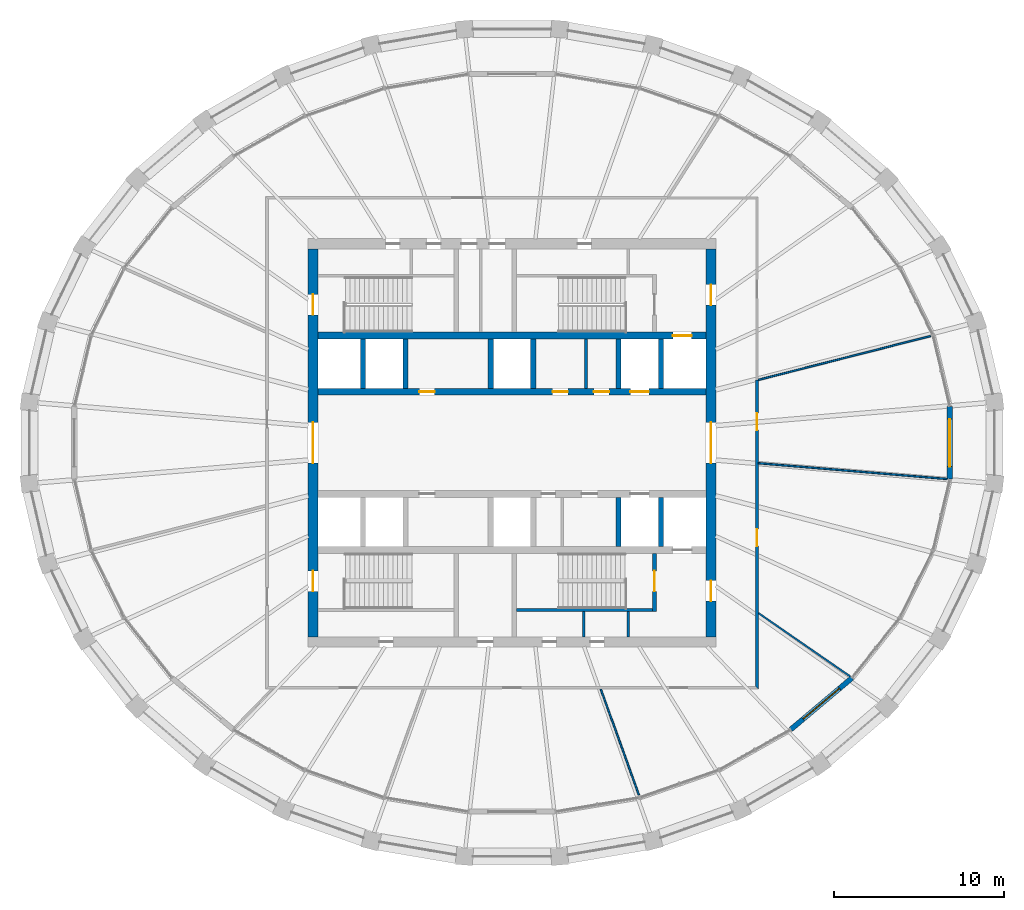
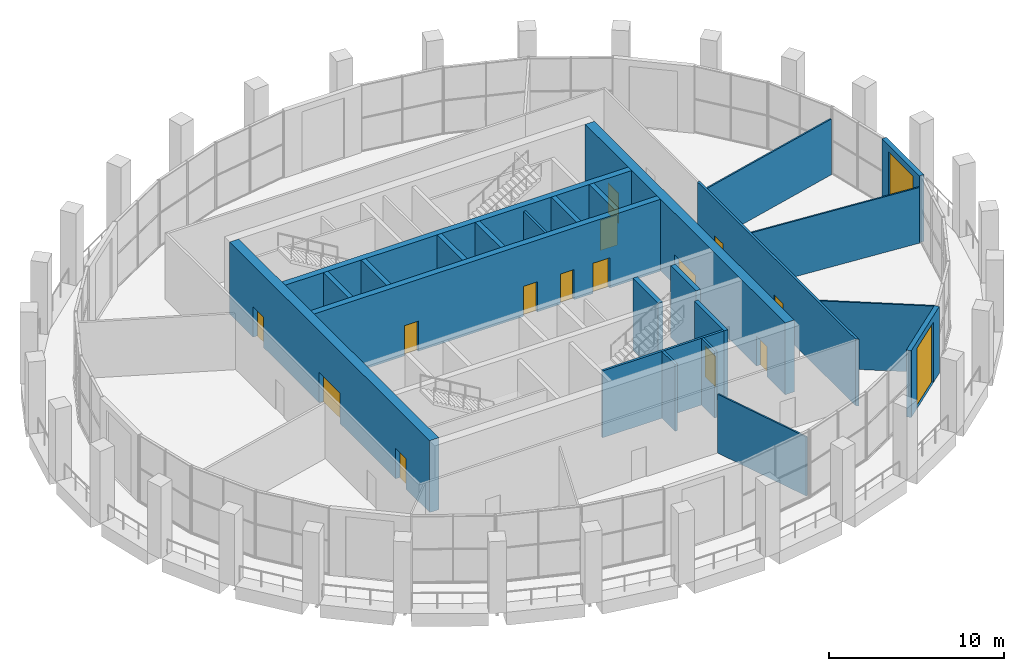
# One storey, part 11 of 15: 24 walls, 16 doors, 16 openings.
"""IFC4 building model written with IfcOpenShell, lengths in metres."""

from ifc_helpers import new_model, si_unit, direction, frame, frame_2d, origin, place, context, subcontext, project, spatial, polyline, rectangle, outline, extrude, material, layer, layer_set, type_object, element, fill, save


model = new_model("IFC4")

# Units and contexts
model_context = context("Model", 3, precision=1e-05, world=origin(), true_north=direction((0.0, 1.0)))
body_context = subcontext(model_context, "Body", "Model", "MODEL_VIEW")
ifc_project = project(units=[si_unit("LENGTHUNIT", "METRE"), si_unit("AREAUNIT", "SQUARE_METRE"), si_unit("VOLUMEUNIT", "CUBIC_METRE"), si_unit("PLANEANGLEUNIT", "RADIAN"), si_unit("MASSUNIT", "GRAM", prefix="KILO")], contexts=[model_context])

# Site, building, storey
site_placement = place(None, origin())
site = spatial("IfcSite", under=ifc_project, at=site_placement, CompositionType="ELEMENT")
building_placement = place(site_placement, origin())
building = spatial("IfcBuilding", under=site, at=building_placement, Name="Halqa Exchange Tower", CompositionType="ELEMENT")
storey_placement = place(building_placement, frame((0.0, 0.0, 338.300048828125)))
storey = spatial("IfcBuildingStorey", under=building, at=storey_placement, Name="L79", CompositionType="ELEMENT", Elevation=338.300048828125)

# Wall, openings, doors
ifc_material_1 = material(Name="Fire-rated gypsum board")
ifc_layer_1 = layer(ifc_material_1, 0.14990234375)
ifc_layer_set_1 = layer_set([ifc_layer_1], Name="Fire-rated gypsum board")
wall_type_1 = type_object("IfcWallType", Name="Fire partition EI 60 150", PredefinedType="PARTITIONING", material=ifc_layer_set_1)
wall_1_placement = place(storey_placement, frame((14.39990234375, -14.47509765625, 0.0), z_axis=(0.0, 0.0, 1.0), x_axis=(0.0, 1.0, 0.0)))
wall_1 = element("IfcWall", 1, at=wall_1_placement, inside=storey, type_object=wall_type_1, Name="L79-PWL-011", PredefinedType="PARTITIONING", context=body_context, shape_type="SweptSolid", body=[
    extrude(outline(polyline([(18.155029296875, 0.074951171875), (16.3544921875, 0.074951171875), (14.553955078125, 0.074951171875), (12.753662109375, 0.074951171875), (10.953125, 0.074951171875), (9.152587890625, 0.074951171875), (7.35205078125, 0.074951171875), (5.551513671875, 0.074951171875), (3.751220703125, 0.074951171875), (1.95068359375, 0.074951171875), (0.150146484375, 0.074951171875), (0.000244140625, -0.074951171875), (1.815673828125, -0.074951171875), (3.631103515625, -0.074951171875), (5.44677734375, -0.074951171875), (7.26220703125, -0.074951171875), (9.07763671875, -0.074951171875), (10.89306640625, -0.074951171875), (12.70849609375, -0.074951171875), (14.524169921875, -0.074951171875), (16.339599609375, -0.074951171875), (18.155029296875, -0.074951171875), (18.155029296875, 0.074951171875)])), origin(), (0.0, 0.0, 1.0), 4.64990234375),
])
opening_1_placement = place(wall_1_placement, frame((8.405029296875, 0.0, 0.0)))
opening_1 = element("IfcOpeningElement", 2, at=opening_1_placement, cuts=wall_1, Name="Opening L79-07", PredefinedType="OPENING", context=body_context, shape_type="SweptSolid", body=[
    extrude(rectangle(XDim=1.0, YDim=2.10009765625, at=frame_2d((0.5, 1.050048828125))), frame((0.0, 0.0869140625, 0.0), z_axis=(0.0, -1.0, 0.0), x_axis=(1.0, 0.0, 0.0)), (0.0, 0.0, 1.0), 0.173828125),
])
opening_2_placement = place(wall_1_placement, frame((15.219970703125, 0.0, 0.0)))
opening_2 = element("IfcOpeningElement", 3, at=opening_2_placement, cuts=wall_1, Name="Opening L79-08", PredefinedType="OPENING", context=body_context, shape_type="SweptSolid", body=[
    extrude(rectangle(XDim=1.0, YDim=2.10009765625, at=frame_2d((0.5, 1.050048828125))), frame((0.0, 0.0869140625, 0.0), z_axis=(0.0, -1.0, 0.0), x_axis=(1.0, 0.0, 0.0)), (0.0, 0.0, 1.0), 0.173828125),
])
ifc_material_2 = material(Name="Steel fire door leaf", Category="steel")
door_type_1 = type_object("IfcDoorType", Name="Fire door FD30S 1000 x 2100", OperationType="SINGLE_SWING_LEFT", PredefinedType="DOOR", material=ifc_material_2)
door_1_placement = place(opening_1_placement, frame((1.0, 0.0, 0.0), z_axis=(0.0, 0.0, 1.0), x_axis=(-1.0, 0.0, 0.0)))
door_1 = element("IfcDoor", 4, at=door_1_placement, inside=storey, type_object=door_type_1, Name="L79-IDR-007", OperationType="SINGLE_SWING_LEFT", OverallHeight=2.10009765625, OverallWidth=1.0, PredefinedType="DOOR", context=body_context, shape_type="SweptSolid", body=[
    extrude(rectangle(XDim=1.0, YDim=2.10009765625, at=frame_2d((0.5, 1.050048828125))), frame((0.0, 0.02490234375, 0.0), z_axis=(0.0, -1.0, 0.0), x_axis=(1.0, 0.0, 0.0)), (0.0, 0.0, 1.0), 0.050048828125),
])
fill(opening_1, door_1)
door_2_placement = place(opening_2_placement, frame((1.0, 0.0, 0.0), z_axis=(0.0, 0.0, 1.0), x_axis=(-1.0, 0.0, 0.0)))
door_2 = element("IfcDoor", 5, at=door_2_placement, inside=storey, type_object=door_type_1, Name="L79-IDR-008", OperationType="SINGLE_SWING_RIGHT", OverallHeight=2.10009765625, OverallWidth=1.0, PredefinedType="DOOR", context=body_context, shape_type="SweptSolid", body=[
    extrude(rectangle(XDim=1.0, YDim=2.10009765625, at=frame_2d((0.5, 1.050048828125))), frame((0.0, 0.02490234375, 0.0), z_axis=(0.0, -1.0, 0.0), x_axis=(1.0, 0.0, 0.0)), (0.0, 0.0, 1.0), 0.050048828125),
])
fill(opening_2, door_2)

# Walls
ifc_material_3 = material(Name="Gypsum board")
ifc_layer_2 = layer(ifc_material_3, 0.10009765625)
ifc_layer_set_2 = layer_set([ifc_layer_2], Name="Gypsum board")
wall_type_2 = type_object("IfcWallType", Name="Partition 100 gypsum", PredefinedType="PARTITIONING", material=ifc_layer_set_2)
wall_2_placement = place(storey_placement, frame((5.2109375, -14.458251953125, 0.0), z_axis=(0.0, 0.0, 1.0), x_axis=(0.338886313763, -0.940827330781, 0.0)))
element("IfcWall", 6, at=wall_2_placement, inside=storey, type_object=wall_type_2, Name="L79-PWL-008", PredefinedType="PARTITIONING", context=body_context, shape_type="SweptSolid", body=[
    extrude(outline(polyline([(0.0, -0.050048828125), (1.65576171875, -0.050048828125), (3.311279296875, -0.050048828125), (4.967041015625, -0.050048828125), (6.622802734375, -0.050048828125), (6.632080078125, 0.00146484375), (6.632080078125, 0.050048828125), (4.98291015625, 0.050048828125), (3.333984375, 0.050048828125), (1.684814453125, 0.050048828125), (0.035888671875, 0.050048828125), (0.0, -0.04931640625), (0.0, -0.050048828125)])), origin(), (0.0, 0.0, 1.0), 4.099853515625),
])
wall_3_placement = place(storey_placement, frame((14.447021484375, -9.982421875, 0.0), z_axis=(0.0, 0.0, 1.0), x_axis=(0.823077170229, -0.567929548314, 0.0)))
element("IfcWall", 7, at=wall_3_placement, inside=storey, type_object=wall_type_2, Name="L79-PWL-012", PredefinedType="PARTITIONING", context=body_context, shape_type="SweptSolid", body=[
    extrude(outline(polyline([(0.068603515625, -0.050048828125), (1.69384765625, -0.050048828125), (3.3193359375, -0.050048828125), (4.944580078125, -0.050048828125), (6.570068359375, -0.050048828125), (6.583740234375, 0.000732421875), (6.5869140625, 0.046630859375), (6.5869140625, 0.050048828125), (4.940185546875, 0.050048828125), (3.29345703125, 0.050048828125), (1.646728515625, 0.050048828125), (0.0, 0.050048828125), (0.0, 0.04931640625), (0.068603515625, -0.050048828125)])), origin(), (0.0, 0.0, 1.0), 4.64990234375),
])
wall_4_placement = place(storey_placement, frame((14.47119140625, -1.196044921875, 0.0), z_axis=(0.0, 0.0, 1.0), x_axis=(0.996521986217, -0.083330252526, 0.0)))
element("IfcWall", 8, at=wall_4_placement, inside=storey, type_object=wall_type_2, Name="L79-PWL-013", PredefinedType="PARTITIONING", context=body_context, shape_type="SweptSolid", body=[
    extrude(outline(polyline([(0.008056640625, -0.050048828125), (1.862548828125, -0.050048828125), (3.717041015625, -0.050048828125), (5.571533203125, -0.050048828125), (7.426025390625, -0.050048828125), (9.28076171875, -0.050048828125), (11.13525390625, -0.050048828125), (11.13916015625, -0.023681640625), (11.13916015625, 0.050048828125), (9.28271484375, 0.050048828125), (7.426025390625, 0.050048828125), (5.569580078125, 0.050048828125), (3.713134765625, 0.050048828125), (1.8564453125, 0.050048828125), (0.0, 0.050048828125), (0.0, 0.045654296875), (0.008056640625, -0.050048828125)])), origin(), (0.0, 0.0, 1.0), 3.8798828125),
])
wall_5_placement = place(storey_placement, frame((14.462890625, 3.696044921875, 0.0), z_axis=(0.0, 0.0, 1.0), x_axis=(0.969103365917, 0.246654953667, 0.0)))
element("IfcWall", 9, at=wall_5_placement, inside=storey, type_object=wall_type_2, Name="L79-PWL-014", PredefinedType="PARTITIONING", context=body_context, shape_type="SweptSolid", body=[
    extrude(outline(polyline([(10.453369140625, -0.050048828125), (10.453369140625, 0.00927734375), (10.44482421875, 0.050048828125), (8.70556640625, 0.050048828125), (6.96630859375, 0.050048828125), (5.227294921875, 0.050048828125), (3.488037109375, 0.050048828125), (1.7490234375, 0.050048828125), (0.009765625, 0.050048828125), (0.0, 0.01171875), (0.0, -0.0166015625), (0.0078125, -0.0185546875), (0.0, -0.049072265625), (0.0, -0.050048828125), (1.7421875, -0.050048828125), (3.484375, -0.050048828125), (5.2265625, -0.050048828125), (6.968994140625, -0.050048828125), (8.711181640625, -0.050048828125), (10.453369140625, -0.050048828125)])), origin(), (0.0, 0.0, 1.0), 3.8798828125),
])
ifc_layer_3 = layer(ifc_material_3, 0.14990234375)
ifc_layer_set_3 = layer_set([ifc_layer_3], Name="Gypsum board")
wall_type_3 = type_object("IfcWallType", Name="Penthouse riser wall 150 gypsum", PredefinedType="PARTITIONING", material=ifc_layer_set_3)
for number, where, z_axis, x_axis, name in (
    (10, (4.22509765625, -11.39990234375, 0.0), (0.0, 0.0, 1.0), (0.0, 1.0, 0.0), "Partition E4.225 S"),
    (11, (6.824951171875, -11.39990234375, 0.0), (0.0, 0.0, 1.0), (0.0, 1.0, 0.0), "Firefighting lobby west wall S"),
):
    element("IfcWall", number, at=place(storey_placement, frame(where, z_axis=z_axis, x_axis=x_axis)), inside=storey, type_object=wall_type_3, Name=name, PredefinedType="PARTITIONING", context=body_context, shape_type="SweptSolid", body=[
        extrude(rectangle(XDim=1.5, YDim=0.14990234375, at=frame_2d((0.75, 0.0))), origin(), (0.0, 0.0, 1.0), 4.64990234375),
    ])
wall_6_placement = place(storey_placement, frame((4.35009765625, 3.199951171875, 0.0), z_axis=(0.0, 0.0, 1.0), x_axis=(0.0, 1.0, 0.0)))
element("IfcWall", 12, at=wall_6_placement, inside=storey, type_object=wall_type_3, Name="Freed bay partition NE4.350", PredefinedType="PARTITIONING", context=body_context, shape_type="SweptSolid", body=[
    extrude(rectangle(XDim=2.900146484375, YDim=0.14990234375, at=frame_2d((1.4501953125, 0.0))), origin(), (0.0, 0.0, 1.0), 4.64990234375),
])
ifc_material_4 = material(Name="Concrete C60/75", Category="concrete")
ifc_layer_4 = layer(ifc_material_4, 0.300048828125)
ifc_layer_set_4 = layer_set([ifc_layer_4], Name="Concrete C60/75")
wall_type_4 = type_object("IfcWallType", Name="RC core wall 300", PredefinedType="SHEAR", material=ifc_layer_set_4)
for number, where, z_axis, x_axis, name in (
    (13, (-8.75, 3.199951171875, 0.0), (0.0, 0.0, 1.0), (0.0, 1.0, 0.0), "Shaft divider N1"),
    (14, (-6.25, 3.199951171875, 0.0), (0.0, 0.0, 1.0), (0.0, 1.0, 0.0), "Shaft divider N2"),
    (15, (-1.25, 3.199951171875, 0.0), (0.0, 0.0, 1.0), (0.0, 1.0, 0.0), "Shaft divider N4"),
    (16, (1.25, 3.199951171875, 0.0), (0.0, 0.0, 1.0), (0.0, 1.0, 0.0), "Shaft divider N5"),
    (17, (6.25, 3.199951171875, 0.0), (0.0, 0.0, 1.0), (0.0, 1.0, 0.0), "Shaft divider N7"),
    (18, (8.75, 3.199951171875, 0.0), (0.0, 0.0, 1.0), (0.0, 1.0, 0.0), "Shaft divider N8"),
    (19, (6.25, -6.10009765625, 0.0), (0.0, 0.0, 1.0), (0.0, 1.0, 0.0), "Shaft divider S7"),
    (20, (8.75, -6.10009765625, 0.0), (0.0, 0.0, 1.0), (0.0, 1.0, 0.0), "Shaft divider S8"),
):
    element("IfcWall", number, at=place(storey_placement, frame(where, z_axis=z_axis, x_axis=x_axis)), inside=storey, type_object=wall_type_4, Name=name, PredefinedType="SHEAR", context=body_context, shape_type="SweptSolid", body=[
        extrude(rectangle(XDim=2.900146484375, YDim=0.300048828125, at=frame_2d((1.4501953125, 0.0))), origin(), (0.0, 0.0, 1.0), 5.0),
    ])

# Wall, openings, doors
ifc_layer_5 = layer(ifc_material_4, 0.39990234375)
ifc_layer_set_5 = layer_set([ifc_layer_5], Name="Concrete C60/75")
wall_type_5 = type_object("IfcWallType", Name="RC core wall 400 C60/75", PredefinedType="SHEAR", material=ifc_layer_set_5)
wall_7_placement = place(storey_placement, frame((-11.39990234375, 3.0, 0.0), z_axis=(0.0, 0.0, 1.0), x_axis=(1.0, 0.0, 0.0)))
wall_7 = element("IfcWall", 21, at=wall_7_placement, inside=storey, type_object=wall_type_5, Name="Lift row front wall N", PredefinedType="SHEAR", context=body_context, shape_type="SweptSolid", body=[
    extrude(rectangle(XDim=22.7998046875, YDim=0.39990234375, at=frame_2d((11.39990234375, 0.0))), origin(), (0.0, 0.0, 1.0), 5.0),
])
opening_3_placement = place(wall_7_placement, frame((18.35009765625, 0.0, 0.0)))
opening_3 = element("IfcOpeningElement", 22, at=opening_3_placement, cuts=wall_7, Name="Opening LD-SV1-L79", PredefinedType="OPENING", context=body_context, shape_type="SweptSolid", body=[
    extrude(rectangle(XDim=1.10009765625, YDim=2.10009765625, at=frame_2d((0.550048828125, 1.050048828125))), frame((0.0, 0.2119140625, 0.0), z_axis=(0.0, -1.0, 0.0), x_axis=(1.0, 0.0, 0.0)), (0.0, 0.0, 1.0), 0.423828125),
])
opening_4_placement = place(wall_7_placement, frame((13.78759765625, 0.0, 0.0)))
opening_4 = element("IfcOpeningElement", 23, at=opening_4_placement, cuts=wall_7, Name="Opening L79-C22", PredefinedType="OPENING", context=body_context, shape_type="SweptSolid", body=[
    extrude(rectangle(XDim=0.89990234375, YDim=2.10009765625, at=frame_2d((0.449951171875, 1.050048828125))), frame((0.0, 0.2119140625, 0.0), z_axis=(0.0, -1.0, 0.0), x_axis=(1.0, 0.0, 0.0)), (0.0, 0.0, 1.0), 0.423828125),
])
opening_5_placement = place(wall_7_placement, frame((16.21240234375, 0.0, 0.0)))
opening_5 = element("IfcOpeningElement", 24, at=opening_5_placement, cuts=wall_7, Name="Opening L79-C23", PredefinedType="OPENING", context=body_context, shape_type="SweptSolid", body=[
    extrude(rectangle(XDim=0.89990234375, YDim=2.10009765625, at=frame_2d((0.449951171875, 1.050048828125))), frame((0.0, 0.2119140625, 0.0), z_axis=(0.0, -1.0, 0.0), x_axis=(1.0, 0.0, 0.0)), (0.0, 0.0, 1.0), 0.423828125),
])
opening_6_placement = place(wall_7_placement, frame((5.949951171875, 0.0, 0.0)))
opening_6 = element("IfcOpeningElement", 25, at=opening_6_placement, cuts=wall_7, Name="Opening L79-C24", PredefinedType="OPENING", context=body_context, shape_type="SweptSolid", body=[
    extrude(rectangle(XDim=0.89990234375, YDim=2.10009765625, at=frame_2d((0.449951171875, 1.050048828125))), frame((0.0, 0.2119140625, 0.0), z_axis=(0.0, -1.0, 0.0), x_axis=(1.0, 0.0, 0.0)), (0.0, 0.0, 1.0), 0.423828125),
])
ifc_material_5 = material(Name="Timber fire door leaf", Category="wood")
door_type_2 = type_object("IfcDoorType", Name="Core room door FD30 900 x 2100", OperationType="SINGLE_SWING_LEFT", PredefinedType="DOOR", material=ifc_material_5)
door_3_placement = place(opening_4_placement, origin())
door_3 = element("IfcDoor", 26, at=door_3_placement, inside=storey, type_object=door_type_2, Name="Core room door", OperationType="SINGLE_SWING_RIGHT", OverallHeight=2.10009765625, OverallWidth=0.89990234375, PredefinedType="DOOR", context=body_context, shape_type="SweptSolid", body=[
    extrude(rectangle(XDim=0.89990234375, YDim=2.10009765625, at=frame_2d((0.449951171875, 1.050048828125))), frame((0.0, 0.02490234375, 0.0), z_axis=(0.0, -1.0, 0.0), x_axis=(1.0, 0.0, 0.0)), (0.0, 0.0, 1.0), 0.050048828125),
])
fill(opening_4, door_3)
door_4_placement = place(opening_5_placement, origin())
door_4 = element("IfcDoor", 27, at=door_4_placement, inside=storey, type_object=door_type_2, Name="Core room door", OperationType="SINGLE_SWING_RIGHT", OverallHeight=2.10009765625, OverallWidth=0.89990234375, PredefinedType="DOOR", context=body_context, shape_type="SweptSolid", body=[
    extrude(rectangle(XDim=0.89990234375, YDim=2.10009765625, at=frame_2d((0.449951171875, 1.050048828125))), frame((0.0, 0.02490234375, 0.0), z_axis=(0.0, -1.0, 0.0), x_axis=(1.0, 0.0, 0.0)), (0.0, 0.0, 1.0), 0.050048828125),
])
fill(opening_5, door_4)
door_5_placement = place(opening_6_placement, origin())
door_5 = element("IfcDoor", 28, at=door_5_placement, inside=storey, type_object=door_type_2, Name="Core room door", OperationType="SINGLE_SWING_RIGHT", OverallHeight=2.10009765625, OverallWidth=0.89990234375, PredefinedType="DOOR", context=body_context, shape_type="SweptSolid", body=[
    extrude(rectangle(XDim=0.89990234375, YDim=2.10009765625, at=frame_2d((0.449951171875, 1.050048828125))), frame((0.0, 0.02490234375, 0.0), z_axis=(0.0, -1.0, 0.0), x_axis=(1.0, 0.0, 0.0)), (0.0, 0.0, 1.0), 0.050048828125),
])
fill(opening_6, door_5)
ifc_material_6 = material(Name="Stainless steel", Category="steel")
door_type_3 = type_object("IfcDoorType", Name="Lift landing door 1100 x 2100", OperationType="SLIDING_TO_LEFT", PredefinedType="DOOR", material=ifc_material_6)
door_6_placement = place(opening_3_placement, origin())
door_6 = element("IfcDoor", 29, at=door_6_placement, inside=storey, type_object=door_type_3, Name="Lift landing door SV1", OperationType="SLIDING_TO_LEFT", OverallHeight=2.10009765625, OverallWidth=1.10009765625, PredefinedType="DOOR", context=body_context, shape_type="SweptSolid", body=[
    extrude(rectangle(XDim=1.10009765625, YDim=2.10009765625, at=frame_2d((0.550048828125, 1.050048828125))), frame((0.0, 0.02490234375, 0.0), z_axis=(0.0, -1.0, 0.0), x_axis=(1.0, 0.0, 0.0)), (0.0, 0.0, 1.0), 0.050048828125),
])
fill(opening_3, door_6)

# Wall, opening, door
wall_8_placement = place(storey_placement, frame((-11.39990234375, 6.300048828125, 0.0), z_axis=(0.0, 0.0, 1.0), x_axis=(1.0, 0.0, 0.0)))
wall_8 = element("IfcWall", 30, at=wall_8_placement, inside=storey, type_object=wall_type_5, Name="Lift row back wall N", PredefinedType="SHEAR", context=body_context, shape_type="SweptSolid", body=[
    extrude(rectangle(XDim=22.7998046875, YDim=0.39990234375, at=frame_2d((11.39990234375, 0.0))), origin(), (0.0, 0.0, 1.0), 5.0),
])
opening_7_placement = place(wall_8_placement, frame((20.85009765625, 0.0, 0.0)))
opening_7 = element("IfcOpeningElement", 31, at=opening_7_placement, cuts=wall_8, Name="Opening LD-FF1-L79", PredefinedType="OPENING", context=body_context, shape_type="SweptSolid", body=[
    extrude(rectangle(XDim=1.10009765625, YDim=2.10009765625, at=frame_2d((0.550048828125, 1.050048828125))), frame((0.0, 0.2119140625, 0.0), z_axis=(0.0, -1.0, 0.0), x_axis=(1.0, 0.0, 0.0)), (0.0, 0.0, 1.0), 0.423828125),
])
door_7_placement = place(opening_7_placement, origin())
door_7 = element("IfcDoor", 32, at=door_7_placement, inside=storey, type_object=door_type_3, Name="Lift landing door FF1", OperationType="SLIDING_TO_LEFT", OverallHeight=2.10009765625, OverallWidth=1.10009765625, PredefinedType="DOOR", context=body_context, shape_type="SweptSolid", body=[
    extrude(rectangle(XDim=1.10009765625, YDim=2.10009765625, at=frame_2d((0.550048828125, 1.050048828125))), frame((0.0, 0.02490234375, 0.0), z_axis=(0.0, -1.0, 0.0), x_axis=(1.0, 0.0, 0.0)), (0.0, 0.0, 1.0), 0.050048828125),
])
fill(opening_7, door_7)

# Wall, openings, doors
ifc_layer_6 = layer(ifc_material_4, 0.60009765625)
ifc_layer_set_6 = layer_set([ifc_layer_6], Name="Concrete C60/75")
wall_type_6 = type_object("IfcWallType", Name="RC core wall 600 C60/75", PredefinedType="SHEAR", material=ifc_layer_set_6)
wall_9_placement = place(storey_placement, frame((11.699951171875, -11.39990234375, 0.0), z_axis=(0.0, 0.0, 1.0), x_axis=(0.0, 1.0, 0.0)))
wall_9 = element("IfcWall", 33, at=wall_9_placement, inside=storey, type_object=wall_type_6, Name="Core wall east", PredefinedType="SHEAR", context=body_context, shape_type="SweptSolid", body=[
    extrude(rectangle(XDim=22.7998046875, YDim=0.60009765625, at=frame_2d((11.39990234375, 0.0))), origin(), (0.0, 0.0, 1.0), 5.0),
])
opening_8_placement = place(wall_9_placement, frame((10.199951171875, 0.0, 0.0)))
opening_8 = element("IfcOpeningElement", 34, at=opening_8_placement, cuts=wall_9, Name="Opening L79-C06", PredefinedType="OPENING", context=body_context, shape_type="SweptSolid", body=[
    extrude(rectangle(XDim=2.39990234375, YDim=2.10009765625, at=frame_2d((1.199951171875, 1.050048828125))), frame((0.0, 0.31201171875, 0.0), z_axis=(0.0, -1.0, 0.0), x_axis=(1.0, 0.0, 0.0)), (0.0, 0.0, 1.0), 0.6240234375),
])
opening_9_placement = place(wall_9_placement, frame((19.5, 0.0, 0.0)))
opening_9 = element("IfcOpeningElement", 35, at=opening_9_placement, cuts=wall_9, Name="Opening L79-C11", PredefinedType="OPENING", context=body_context, shape_type="SweptSolid", body=[
    extrude(rectangle(XDim=1.199951171875, YDim=2.10009765625, at=frame_2d((0.60009765625, 1.050048828125))), frame((0.0, 0.31201171875, 0.0), z_axis=(0.0, -1.0, 0.0), x_axis=(1.0, 0.0, 0.0)), (0.0, 0.0, 1.0), 0.6240234375),
])
opening_10_placement = place(wall_9_placement, frame((2.10009765625, 0.0, 0.0)))
opening_10 = element("IfcOpeningElement", 36, at=opening_10_placement, cuts=wall_9, Name="Opening L79-C12", PredefinedType="OPENING", context=body_context, shape_type="SweptSolid", body=[
    extrude(rectangle(XDim=1.199951171875, YDim=2.10009765625, at=frame_2d((0.60009765625, 1.050048828125))), frame((0.0, 0.31201171875, 0.0), z_axis=(0.0, -1.0, 0.0), x_axis=(1.0, 0.0, 0.0)), (0.0, 0.0, 1.0), 0.6240234375),
])
door_type_4 = type_object("IfcDoorType", Name="Firefighting lobby door FD90 1200 x 2100", OperationType="SINGLE_SWING_RIGHT", PredefinedType="DOOR", material=ifc_material_2)
door_8_placement = place(opening_9_placement, origin())
door_8 = element("IfcDoor", 37, at=door_8_placement, inside=storey, type_object=door_type_4, Name="Firefighting lobby door", OperationType="SINGLE_SWING_RIGHT", OverallHeight=2.10009765625, OverallWidth=1.199951171875, PredefinedType="DOOR", context=body_context, shape_type="SweptSolid", body=[
    extrude(rectangle(XDim=1.199951171875, YDim=2.10009765625, at=frame_2d((0.60009765625, 1.050048828125))), frame((0.0, 0.02490234375, 0.0), z_axis=(0.0, -1.0, 0.0), x_axis=(1.0, 0.0, 0.0)), (0.0, 0.0, 1.0), 0.050048828125),
])
fill(opening_9, door_8)
door_9_placement = place(opening_10_placement, origin())
door_9 = element("IfcDoor", 38, at=door_9_placement, inside=storey, type_object=door_type_4, Name="Firefighting lobby door", OperationType="SINGLE_SWING_LEFT", OverallHeight=2.10009765625, OverallWidth=1.199951171875, PredefinedType="DOOR", context=body_context, shape_type="SweptSolid", body=[
    extrude(rectangle(XDim=1.199951171875, YDim=2.10009765625, at=frame_2d((0.60009765625, 1.050048828125))), frame((0.0, 0.02490234375, 0.0), z_axis=(0.0, -1.0, 0.0), x_axis=(1.0, 0.0, 0.0)), (0.0, 0.0, 1.0), 0.050048828125),
])
fill(opening_10, door_9)
door_type_5 = type_object("IfcDoorType", Name="Lobby double door FD60 2400 x 2100", OperationType="DOUBLE_DOOR_SINGLE_SWING", PredefinedType="DOOR", material=ifc_material_2)
door_10_placement = place(opening_8_placement, origin())
door_10 = element("IfcDoor", 39, at=door_10_placement, inside=storey, type_object=door_type_5, Name="Lift lobby double door", OperationType="DOUBLE_DOOR_SINGLE_SWING", OverallHeight=2.10009765625, OverallWidth=2.39990234375, PredefinedType="DOOR", context=body_context, shape_type="SweptSolid", body=[
    extrude(rectangle(XDim=2.39990234375, YDim=2.10009765625, at=frame_2d((1.199951171875, 1.050048828125))), frame((0.0, 0.02490234375, 0.0), z_axis=(0.0, -1.0, 0.0), x_axis=(1.0, 0.0, 0.0)), (0.0, 0.0, 1.0), 0.050048828125),
])
fill(opening_8, door_10)

wall_10_placement = place(storey_placement, frame((-11.699951171875, -11.39990234375, 0.0), z_axis=(0.0, 0.0, 1.0), x_axis=(0.0, 1.0, 0.0)))
wall_10 = element("IfcWall", 40, at=wall_10_placement, inside=storey, type_object=wall_type_6, Name="Core wall west", PredefinedType="SHEAR", context=body_context, shape_type="SweptSolid", body=[
    extrude(rectangle(XDim=22.7998046875, YDim=0.60009765625, at=frame_2d((11.39990234375, 0.0))), origin(), (0.0, 0.0, 1.0), 5.0),
])
opening_11_placement = place(wall_10_placement, frame((10.199951171875, 0.0, 0.0)))
opening_11 = element("IfcOpeningElement", 41, at=opening_11_placement, cuts=wall_10, Name="Opening L79-C05", PredefinedType="OPENING", context=body_context, shape_type="SweptSolid", body=[
    extrude(rectangle(XDim=2.39990234375, YDim=2.10009765625, at=frame_2d((1.199951171875, 1.050048828125))), frame((0.0, 0.31201171875, 0.0), z_axis=(0.0, -1.0, 0.0), x_axis=(1.0, 0.0, 0.0)), (0.0, 0.0, 1.0), 0.6240234375),
])
opening_12_placement = place(wall_10_placement, frame((18.925048828125, 0.0, 0.0)))
opening_12 = element("IfcOpeningElement", 42, at=opening_12_placement, cuts=wall_10, Name="Opening L79-C07", PredefinedType="OPENING", context=body_context, shape_type="SweptSolid", body=[
    extrude(rectangle(XDim=1.199951171875, YDim=2.10009765625, at=frame_2d((0.60009765625, 1.050048828125))), frame((0.0, 0.31201171875, 0.0), z_axis=(0.0, -1.0, 0.0), x_axis=(1.0, 0.0, 0.0)), (0.0, 0.0, 1.0), 0.6240234375),
])
opening_13_placement = place(wall_10_placement, frame((2.675048828125, 0.0, 0.0)))
opening_13 = element("IfcOpeningElement", 43, at=opening_13_placement, cuts=wall_10, Name="Opening L79-C09", PredefinedType="OPENING", context=body_context, shape_type="SweptSolid", body=[
    extrude(rectangle(XDim=1.199951171875, YDim=2.10009765625, at=frame_2d((0.60009765625, 1.050048828125))), frame((0.0, 0.31201171875, 0.0), z_axis=(0.0, -1.0, 0.0), x_axis=(1.0, 0.0, 0.0)), (0.0, 0.0, 1.0), 0.6240234375),
])
door_11_placement = place(opening_11_placement, frame((2.39990234375, 0.0, 0.0), z_axis=(0.0, 0.0, 1.0), x_axis=(-1.0, 0.0, 0.0)))
door_11 = element("IfcDoor", 44, at=door_11_placement, inside=storey, type_object=door_type_5, Name="Lift lobby double door", OperationType="DOUBLE_DOOR_SINGLE_SWING", OverallHeight=2.10009765625, OverallWidth=2.39990234375, PredefinedType="DOOR", context=body_context, shape_type="SweptSolid", body=[
    extrude(rectangle(XDim=2.39990234375, YDim=2.10009765625, at=frame_2d((1.199951171875, 1.050048828125))), frame((0.0, 0.02490234375, 0.0), z_axis=(0.0, -1.0, 0.0), x_axis=(1.0, 0.0, 0.0)), (0.0, 0.0, 1.0), 0.050048828125),
])
fill(opening_11, door_11)
door_type_6 = type_object("IfcDoorType", Name="Stair door FD90 1200 x 2100", OperationType="SINGLE_SWING_LEFT", PredefinedType="DOOR", material=ifc_material_2)
door_12_placement = place(opening_12_placement, frame((1.199951171875, 0.0, 0.0), z_axis=(0.0, 0.0, 1.0), x_axis=(-1.0, 0.0, 0.0)))
door_12 = element("IfcDoor", 45, at=door_12_placement, inside=storey, type_object=door_type_6, Name="Stair door ST1", OperationType="SINGLE_SWING_RIGHT", OverallHeight=2.10009765625, OverallWidth=1.199951171875, PredefinedType="DOOR", context=body_context, shape_type="SweptSolid", body=[
    extrude(rectangle(XDim=1.199951171875, YDim=2.10009765625, at=frame_2d((0.60009765625, 1.050048828125))), frame((0.0, 0.02490234375, 0.0), z_axis=(0.0, -1.0, 0.0), x_axis=(1.0, 0.0, 0.0)), (0.0, 0.0, 1.0), 0.050048828125),
])
fill(opening_12, door_12)
door_13_placement = place(opening_13_placement, frame((1.199951171875, 0.0, 0.0), z_axis=(0.0, 0.0, 1.0), x_axis=(-1.0, 0.0, 0.0)))
door_13 = element("IfcDoor", 46, at=door_13_placement, inside=storey, type_object=door_type_6, Name="Stair door ST3", OperationType="SINGLE_SWING_LEFT", OverallHeight=2.10009765625, OverallWidth=1.199951171875, PredefinedType="DOOR", context=body_context, shape_type="SweptSolid", body=[
    extrude(rectangle(XDim=1.199951171875, YDim=2.10009765625, at=frame_2d((0.60009765625, 1.050048828125))), frame((0.0, 0.02490234375, 0.0), z_axis=(0.0, -1.0, 0.0), x_axis=(1.0, 0.0, 0.0)), (0.0, 0.0, 1.0), 0.050048828125),
])
fill(opening_13, door_13)

# Wall
ifc_material_7 = material(Name="Concrete C30/37", Category="concrete")
ifc_layer_7 = layer(ifc_material_7, 0.14990234375)
ifc_layer_set_7 = layer_set([ifc_layer_7], Name="Concrete C30/37")
wall_type_7 = type_object("IfcWallType", Name="RC stair wall 150 C30/37", PredefinedType="SHEAR", material=ifc_layer_set_7)
wall_11_placement = place(storey_placement, frame((0.25, -9.824951171875, 0.0), z_axis=(0.0, 0.0, 1.0), x_axis=(1.0, 0.0, 0.0)))
element("IfcWall", 47, at=wall_11_placement, inside=storey, type_object=wall_type_7, Name="Stair ST2 north wall S", PredefinedType="SHEAR", context=body_context, shape_type="SweptSolid", body=[
    extrude(rectangle(XDim=8.0, YDim=0.14990234375, at=frame_2d((4.0, 0.0))), origin(), (0.0, 0.0, 1.0), 4.64990234375),
])

# Wall, opening, door
ifc_layer_8 = layer(ifc_material_7, 0.25)
ifc_layer_set_8 = layer_set([ifc_layer_8], Name="Concrete C30/37")
wall_type_8 = type_object("IfcWallType", Name="RC stair wall 250 C30/37", PredefinedType="SHEAR", material=ifc_layer_set_8)
wall_12_placement = place(storey_placement, frame((8.375, -9.89990234375, 0.0), z_axis=(0.0, 0.0, 1.0), x_axis=(0.0, 1.0, 0.0)))
wall_12 = element("IfcWall", 48, at=wall_12_placement, inside=storey, type_object=wall_type_8, Name="Stair ST2 east wall S", PredefinedType="SHEAR", context=body_context, shape_type="SweptSolid", body=[
    extrude(rectangle(XDim=3.39990234375, YDim=0.25, at=frame_2d((1.699951171875, 0.0))), origin(), (0.0, 0.0, 1.0), 4.64990234375),
])
opening_14_placement = place(wall_12_placement, frame((1.175048828125, 0.0, 0.0)))
opening_14 = element("IfcOpeningElement", 49, at=opening_14_placement, cuts=wall_12, Name="Opening L79-C10", PredefinedType="OPENING", context=body_context, shape_type="SweptSolid", body=[
    extrude(rectangle(XDim=1.199951171875, YDim=2.10009765625, at=frame_2d((0.60009765625, 1.050048828125))), frame((0.0, 0.136962890625, 0.0), z_axis=(0.0, -1.0, 0.0), x_axis=(1.0, 0.0, 0.0)), (0.0, 0.0, 1.0), 0.27392578125),
])
door_14_placement = place(opening_14_placement, origin())
door_14 = element("IfcDoor", 50, at=door_14_placement, inside=storey, type_object=door_type_6, Name="Stair door ST4", OperationType="SINGLE_SWING_LEFT", OverallHeight=2.10009765625, OverallWidth=1.199951171875, PredefinedType="DOOR", context=body_context, shape_type="SweptSolid", body=[
    extrude(rectangle(XDim=1.199951171875, YDim=2.10009765625, at=frame_2d((0.60009765625, 1.050048828125))), frame((0.0, 0.02490234375, 0.0), z_axis=(0.0, -1.0, 0.0), x_axis=(1.0, 0.0, 0.0)), (0.0, 0.0, 1.0), 0.050048828125),
])
fill(opening_14, door_14)

ifc_material_8 = material(Name="Limestone cladding", Category="masonry")
ifc_layer_9 = layer(ifc_material_8, 0.0400390625)
ifc_material_9 = material(Name="Ventilated cavity")
ifc_layer_10 = layer(ifc_material_9, 0.030029296875, ventilated=True)
ifc_material_10 = material(Name="Mineral wool insulation")
ifc_layer_11 = layer(ifc_material_10, 0.10009765625)
ifc_layer_12 = layer(ifc_material_7, 0.10009765625)
ifc_material_11 = material(Name="Internal plaster")
ifc_layer_13 = layer(ifc_material_11, 0.030029296875)
ifc_layer_set_9 = layer_set([ifc_layer_9, ifc_layer_10, ifc_layer_11, ifc_layer_12, ifc_layer_13], Name="Stone-faced insulated wall 300")
wall_type_9 = type_object("IfcWallType", Name="Stone-faced insulated wall 300", PredefinedType="STANDARD", material=ifc_layer_set_9)
wall_13_placement = place(storey_placement, frame((16.3896484375, -16.843017578125, 0.0), z_axis=(0.0, 0.0, 1.0), x_axis=(0.765128700347, 0.643877373344, 0.0)))
wall_13 = element("IfcWall", 51, at=wall_13_placement, inside=storey, type_object=wall_type_9, Name="Glass-line wall 28", PredefinedType="STANDARD", context=body_context, shape_type="SweptSolid", body=[
    extrude(outline(polyline([(0.0, -0.14990234375), (4.685546875, -0.14990234375), (4.685546875, 0.14990234375), (0.0, 0.14990234375), (0.0, -0.14990234375)])), origin(), (0.0, 0.0, 1.0), 4.64990234375),
])
opening_15_placement = place(wall_13_placement, frame((0.942626953125, 0.0, 0.0)))
opening_15 = element("IfcOpeningElement", 52, at=opening_15_placement, cuts=wall_13, Name="Opening LGX-F4-07", PredefinedType="OPENING", context=body_context, shape_type="SweptSolid", body=[
    extrude(rectangle(XDim=2.800048828125, YDim=4.199951171875, at=frame_2d((1.39990234375, 2.10009765625))), frame((0.0, 0.162109375, 0.0), z_axis=(0.0, -1.0, 0.0), x_axis=(1.0, 0.0, 0.0)), (0.0, 0.0, 1.0), 0.323974609375),
])
ifc_material_12 = material(Name="Clear low-emissivity glass in aluminium frame", Category="aluminium")
door_type_7 = type_object("IfcDoorType", Name="Glazed sliding balcony door 2800 x 4200", OperationType="DOUBLE_DOOR_SLIDING", PredefinedType="DOOR", material=ifc_material_12)
door_15_placement = place(opening_15_placement, origin())
door_15 = element("IfcDoor", 53, at=door_15_placement, inside=storey, type_object=door_type_7, Name="Loggia door 7", OperationType="DOUBLE_DOOR_SLIDING", OverallHeight=4.199951171875, OverallWidth=2.800048828125, PredefinedType="DOOR", context=body_context, shape_type="SweptSolid", body=[
    extrude(rectangle(XDim=2.800048828125, YDim=4.199951171875, at=frame_2d((1.39990234375, 2.10009765625))), frame((0.0, 0.02490234375, 0.0), z_axis=(0.0, -1.0, 0.0), x_axis=(1.0, 0.0, 0.0)), (0.0, 0.0, 1.0), 0.050048828125),
])
fill(opening_15, door_15)

wall_14_placement = place(storey_placement, frame((25.726318359375, -2.137451171875, 0.0), z_axis=(0.0, 0.0, 1.0), x_axis=(0.0, 1.0, 0.0)))
wall_14 = element("IfcWall", 54, at=wall_14_placement, inside=storey, type_object=wall_type_9, Name="Glass-line wall 32", PredefinedType="STANDARD", context=body_context, shape_type="SweptSolid", body=[
    extrude(outline(polyline([(0.0, -0.14990234375), (4.27490234375, -0.14990234375), (4.27490234375, 0.14990234375), (0.0, 0.14990234375), (0.0, -0.14990234375)])), origin(), (0.0, 0.0, 1.0), 4.64990234375),
])
opening_16_placement = place(wall_14_placement, frame((0.737548828125, 0.0, 0.0)))
opening_16 = element("IfcOpeningElement", 55, at=opening_16_placement, cuts=wall_14, Name="Opening LGX-F4-08", PredefinedType="OPENING", context=body_context, shape_type="SweptSolid", body=[
    extrude(rectangle(XDim=2.800048828125, YDim=4.199951171875, at=frame_2d((1.39990234375, 2.10009765625))), frame((0.0, 0.162109375, 0.0), z_axis=(0.0, -1.0, 0.0), x_axis=(1.0, 0.0, 0.0)), (0.0, 0.0, 1.0), 0.323974609375),
])
door_16_placement = place(opening_16_placement, origin())
door_16 = element("IfcDoor", 56, at=door_16_placement, inside=storey, type_object=door_type_7, Name="Loggia door 8", OperationType="DOUBLE_DOOR_SLIDING", OverallHeight=4.199951171875, OverallWidth=2.800048828125, PredefinedType="DOOR", context=body_context, shape_type="SweptSolid", body=[
    extrude(rectangle(XDim=2.800048828125, YDim=4.199951171875, at=frame_2d((1.39990234375, 2.10009765625))), frame((0.0, 0.02490234375, 0.0), z_axis=(0.0, -1.0, 0.0), x_axis=(1.0, 0.0, 0.0)), (0.0, 0.0, 1.0), 0.050048828125),
])
fill(opening_16, door_16)

save(model, "model.ifc")
